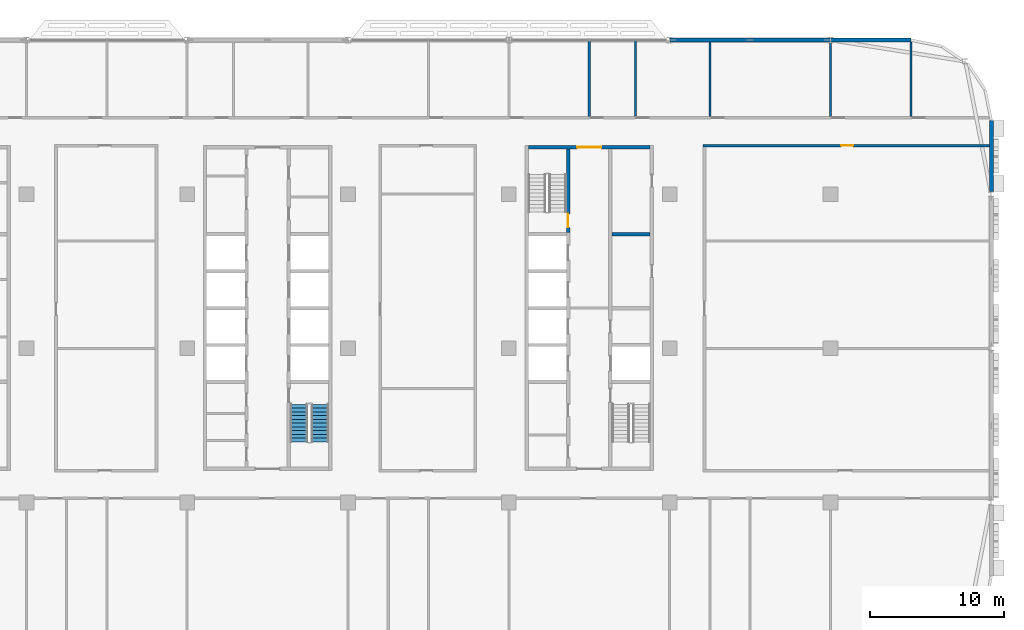
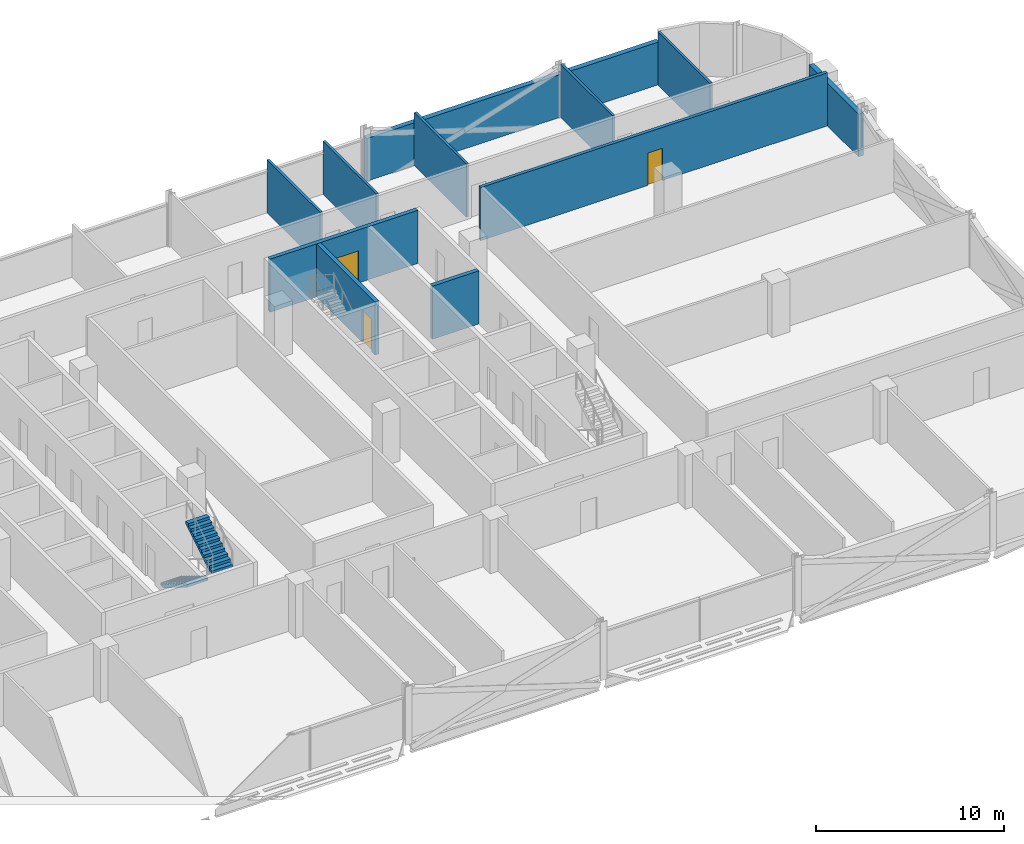
# One storey, part 18 of 30: 12 walls, 3 doors, 2 stair flights, 3 openings, 1 element without a shape of its own.
"""IFC4 building model written with IfcOpenShell, lengths in metres."""

from ifc_helpers import new_model, si_unit, direction, frame, frame_2d, origin, place, context, subcontext, project, spatial, polyline, rectangle, outline, extrude, material, layer, layer_set, type_object, element, fill, aggregate, save


model = new_model("IFC4")

# Units and contexts
model_context = context("Model", 3, precision=1e-05, world=origin(), true_north=direction((0.0, 1.0)))
body_context = subcontext(model_context, "Body", "Model", "MODEL_VIEW")
ifc_project = project(units=[si_unit("LENGTHUNIT", "METRE"), si_unit("AREAUNIT", "SQUARE_METRE"), si_unit("VOLUMEUNIT", "CUBIC_METRE"), si_unit("PLANEANGLEUNIT", "RADIAN"), si_unit("MASSUNIT", "GRAM", prefix="KILO")], contexts=[model_context])

# Site, building, storey
site_placement = place(None, origin())
site = spatial("IfcSite", under=ifc_project, at=site_placement, CompositionType="ELEMENT")
building_placement = place(site_placement, origin())
building = spatial("IfcBuilding", under=site, at=building_placement, Name="Mahtab Terrace Research Tower", CompositionType="ELEMENT")
storey_placement = place(building_placement, frame((0.0, 0.0, 212.89990234375)))
storey = spatial("IfcBuildingStorey", under=building, at=storey_placement, Name="L51", CompositionType="ELEMENT", Elevation=212.89990234375)

# Wall, opening, door
ifc_material_1 = material(Name="Concrete C70/85", Category="concrete")
ifc_layer_1 = layer(ifc_material_1, 0.25)
ifc_layer_set_1 = layer_set([ifc_layer_1], Name="Core wall 250")
wall_type_1 = type_object("IfcWallType", Name="Core wall 250", PredefinedType="SOLIDWALL", material=ifc_layer_set_1)
wall_1_placement = place(storey_placement, frame((19.449951171875, 15.0, 0.0), z_axis=(0.0, 0.0, 1.0), x_axis=(1.0, 0.0, 0.0)))
wall_1 = element("IfcWall", 1, at=wall_1_placement, inside=storey, type_object=wall_type_1, Name="Core wall C endN", PredefinedType="SOLIDWALL", context=body_context, shape_type="SweptSolid", body=[
    extrude(rectangle(XDim=9.10009765625, YDim=0.25, at=frame_2d((4.550048828125, 0.0))), origin(), (0.0, 0.0, 1.0), 3.460205078125),
])
opening_1_placement = place(wall_1_placement, frame((3.64990234375, 0.0, 0.0)))
opening_1 = element("IfcOpeningElement", 2, at=opening_1_placement, cuts=wall_1, Name="Opening C-N1", PredefinedType="OPENING", context=body_context, shape_type="SweptSolid", body=[
    extrude(rectangle(XDim=1.800048828125, YDim=2.10009765625, at=frame_2d((0.89990234375, 1.050048828125))), frame((0.0, 0.135009765625, 0.0), z_axis=(0.0, -1.0, 0.0), x_axis=(1.0, 0.0, 0.0)), (0.0, 0.0, 1.0), 0.27001953125),
])
ifc_material_2 = material(Name="Steel fire door", Category="steel")
door_type_1 = type_object("IfcDoorType", Name="Lobby double door 1800x2100 1 HR", OperationType="DOUBLE_DOOR_SINGLE_SWING", PredefinedType="DOOR", material=ifc_material_2)
door_1_placement = place(opening_1_placement, origin())
door_1 = element("IfcDoor", 3, at=door_1_placement, inside=storey, type_object=door_type_1, Name="Core entrance door C N", OperationType="DOUBLE_DOOR_SINGLE_SWING", OverallHeight=2.10009765625, OverallWidth=1.800048828125, PredefinedType="DOOR", context=body_context, shape_type="SweptSolid", body=[
    extrude(rectangle(XDim=1.800048828125, YDim=2.10009765625, at=frame_2d((0.89990234375, 1.050048828125))), frame((0.0, 0.02490234375, 0.0), z_axis=(0.0, -1.0, 0.0), x_axis=(1.0, 0.0, 0.0)), (0.0, 0.0, 1.0), 0.050048828125),
])
fill(opening_1, door_1)

wall_2_placement = place(storey_placement, frame((22.425048828125, 14.875, 0.0), z_axis=(0.0, 0.0, 1.0), x_axis=(0.0, -1.0, 0.0)))
wall_2 = element("IfcWall", 4, at=wall_2_placement, inside=storey, type_object=wall_type_1, Name="Core wall C innerWN", PredefinedType="SOLIDWALL", context=body_context, shape_type="SweptSolid", body=[
    extrude(rectangle(XDim=6.25, YDim=0.25, at=frame_2d((3.125, 0.0))), origin(), (0.0, 0.0, 1.0), 3.460205078125),
])
opening_2_placement = place(wall_2_placement, frame((4.85009765625, 0.0, 0.0)))
opening_2 = element("IfcOpeningElement", 5, at=opening_2_placement, cuts=wall_2, Name="Opening C-ST3", PredefinedType="OPENING", context=body_context, shape_type="SweptSolid", body=[
    extrude(rectangle(XDim=1.0, YDim=2.10009765625, at=frame_2d((0.5, 1.050048828125))), frame((0.0, 0.135009765625, 0.0), z_axis=(0.0, -1.0, 0.0), x_axis=(1.0, 0.0, 0.0)), (0.0, 0.0, 1.0), 0.27001953125),
])
door_type_2 = type_object("IfcDoorType", Name="Stair door 1000x2100 1.5 HR", OperationType="NOTDEFINED", PredefinedType="DOOR", material=ifc_material_2)
door_2_placement = place(opening_2_placement, origin())
door_2 = element("IfcDoor", 6, at=door_2_placement, inside=storey, type_object=door_type_2, Name="Stair door ST3 L51", OperationType="SINGLE_SWING_RIGHT", OverallHeight=2.10009765625, OverallWidth=1.0, PredefinedType="DOOR", context=body_context, shape_type="SweptSolid", body=[
    extrude(rectangle(XDim=1.0, YDim=2.10009765625, at=frame_2d((0.5, 1.050048828125))), frame((0.0, 0.02490234375, 0.0), z_axis=(0.0, -1.0, 0.0), x_axis=(1.0, 0.0, 0.0)), (0.0, 0.0, 1.0), 0.050048828125),
])
fill(opening_2, door_2)

# Walls
wall_3_placement = place(storey_placement, frame((25.699951171875, 8.5, 0.0), z_axis=(0.0, 0.0, 1.0), x_axis=(1.0, 0.0, 0.0)))
element("IfcWall", 7, at=wall_3_placement, inside=storey, type_object=wall_type_1, Name="Core wall C divE4", PredefinedType="SOLIDWALL", context=body_context, shape_type="SweptSolid", body=[
    extrude(rectangle(XDim=2.85009765625, YDim=0.25, at=frame_2d((1.425048828125, 0.0))), origin(), (0.0, 0.0, 1.0), 3.460205078125),
])
ifc_material_3 = material(Name="Black aluminium cladding panel", Category="aluminium")
ifc_layer_2 = layer(ifc_material_3, 0.300048828125)
ifc_layer_set_2 = layer_set([ifc_layer_2], Name="Opaque facade wall 300")
wall_type_2 = type_object("IfcWallType", Name="Opaque facade wall 300", PredefinedType="NOTDEFINED", material=ifc_layer_set_2)
wall_4_placement = place(storey_placement, frame((48.0, 23.0, 0.0), z_axis=(0.0, 0.0, 1.0), x_axis=(-1.0, 0.0, 0.0)))
element("IfcWall", 8, at=wall_4_placement, inside=storey, type_object=wall_type_2, Name="Opaque facade wall L51 N3", PredefinedType="NOTDEFINED", context=body_context, shape_type="SweptSolid", body=[
    extrude(rectangle(XDim=5.987548828125, YDim=0.300048828125, at=frame_2d((2.99365234375, 0.0))), origin(), (0.0, 0.0, 1.0), 2.781982421875),
])
wall_5_placement = place(storey_placement, frame((41.987548828125, 23.0, 0.0), z_axis=(0.0, 0.0, 1.0), x_axis=(-1.0, 0.0, 0.0)))
element("IfcWall", 9, at=wall_5_placement, inside=storey, type_object=wall_type_2, Name="Opaque facade wall L51 N4", PredefinedType="NOTDEFINED", context=body_context, shape_type="SweptSolid", body=[
    extrude(rectangle(XDim=11.97509765625, YDim=0.300048828125, at=frame_2d((5.987548828125, 0.0))), origin(), (0.0, 0.0, 1.0), 2.781982421875),
])
wall_6_placement = place(storey_placement, frame((54.0, 11.699951171875, 0.0), z_axis=(0.0, 0.0, 1.0), x_axis=(0.0, 1.0, 0.0)))
element("IfcWall", 10, at=wall_6_placement, inside=storey, type_object=wall_type_2, Name="Opaque facade wall L51 E38", PredefinedType="NOTDEFINED", context=body_context, shape_type="SweptSolid", body=[
    extrude(rectangle(XDim=5.300048828125, YDim=0.300048828125, at=frame_2d((2.64990234375, 0.0))), origin(), (0.0, 0.0, 1.0), 2.781982421875),
])

# Wall, opening, door
ifc_material_4 = material(Name="Gypsum board corridor wall on steel studs", Category="steel")
ifc_layer_3 = layer(ifc_material_4, 0.199951171875)
ifc_layer_set_3 = layer_set([ifc_layer_3], Name="WALL CORRIDOR 200")
wall_type_3 = type_object("IfcWallType", Name="WALL CORRIDOR 200", PredefinedType="PARTITIONING", material=ifc_layer_set_3)
wall_7_placement = place(storey_placement, frame((32.5, 15.125, 0.0), z_axis=(0.0, 0.0, 1.0), x_axis=(1.0, 0.0, 0.0)))
wall_7 = element("IfcWall", 11, at=wall_7_placement, inside=storey, type_object=wall_type_3, Name="L51-W025", PredefinedType="PARTITIONING", context=body_context, shape_type="SweptSolid", body=[
    extrude(rectangle(XDim=21.35009765625, YDim=0.199951171875, at=frame_2d((10.675048828125, 0.0))), origin(), (0.0, 0.0, 1.0), 3.460205078125),
])
opening_3_placement = place(wall_7_placement, frame((10.300048828125, 0.0, 0.0)))
opening_3 = element("IfcOpeningElement", 12, at=opening_3_placement, cuts=wall_7, Name="Opening L51-125", PredefinedType="OPENING", context=body_context, shape_type="SweptSolid", body=[
    extrude(rectangle(XDim=0.89990234375, YDim=2.10009765625, at=frame_2d((0.449951171875, 1.050048828125))), frame((0.0, 0.10986328125, 0.0), z_axis=(0.0, -1.0, 0.0), x_axis=(1.0, 0.0, 0.0)), (0.0, 0.0, 1.0), 0.219970703125),
])
ifc_material_5 = material(Name="Timber door leaf in steel frame", Category="steel")
door_type_3 = type_object("IfcDoorType", Name="DOOR 0900X2100 FD30S", OperationType="SINGLE_SWING_LEFT", PredefinedType="DOOR", material=ifc_material_5)
door_3_placement = place(opening_3_placement, origin())
door_3 = element("IfcDoor", 13, at=door_3_placement, inside=storey, type_object=door_type_3, Name="Door L51-125", OperationType="SINGLE_SWING_LEFT", OverallHeight=2.10009765625, OverallWidth=0.89990234375, PredefinedType="DOOR", context=body_context, shape_type="SweptSolid", body=[
    extrude(rectangle(XDim=0.89990234375, YDim=2.10009765625, at=frame_2d((0.449951171875, 1.050048828125))), frame((0.0, 0.02490234375, 0.0), z_axis=(0.0, -1.0, 0.0), x_axis=(1.0, 0.0, 0.0)), (0.0, 0.0, 1.0), 0.050048828125),
])
fill(opening_3, door_3)

# Walls
ifc_material_6 = material(Name="Gypsum board partition on steel studs", Category="steel")
ifc_layer_4 = layer(ifc_material_6, 0.14990234375)
ifc_layer_set_4 = layer_set([ifc_layer_4], Name="WALL PARTITION 150")
wall_type_4 = type_object("IfcWallType", Name="WALL PARTITION 150", PredefinedType="PARTITIONING", material=ifc_layer_set_4)
for number, where, z_axis, x_axis, name in (
    (14, (24.0, 17.300048828125, 0.0), (0.0, 0.0, 1.0), (0.0, 1.0, 0.0), "L51-W052"),
    (15, (27.449951171875, 17.300048828125, 0.0), (0.0, 0.0, 1.0), (0.0, 1.0, 0.0), "L51-W053"),
):
    element("IfcWall", number, at=place(storey_placement, frame(where, z_axis=z_axis, x_axis=x_axis)), inside=storey, type_object=wall_type_4, Name=name, PredefinedType="PARTITIONING", context=body_context, shape_type="SweptSolid", body=[
        extrude(rectangle(XDim=5.675048828125, YDim=0.14990234375, at=frame_2d((2.83740234375, 0.0))), origin(), (0.0, 0.0, 1.0), 3.460205078125),
    ])
for number, where, z_axis, x_axis, name in (
    (16, (33.0, 17.300048828125, 0.0), (0.0, 0.0, 1.0), (0.0, 1.0, 0.0), "L51-W057"),
    (17, (42.0, 17.300048828125, 0.0), (0.0, 0.0, 1.0), (0.0, 1.0, 0.0), "L51-W060"),
):
    element("IfcWall", number, at=place(storey_placement, frame(where, z_axis=z_axis, x_axis=x_axis)), inside=storey, type_object=wall_type_4, Name=name, PredefinedType="PARTITIONING", context=body_context, shape_type="SweptSolid", body=[
        extrude(rectangle(XDim=5.550048828125, YDim=0.14990234375, at=frame_2d((2.77490234375, 0.0))), origin(), (0.0, 0.0, 1.0), 3.460205078125),
    ])
wall_8_placement = place(storey_placement, frame((48.0, 17.300048828125, 0.0), z_axis=(0.0, 0.0, 1.0), x_axis=(0.0, 1.0, 0.0)))
element("IfcWall", 18, at=wall_8_placement, inside=storey, type_object=wall_type_4, Name="L51-W061", PredefinedType="PARTITIONING", context=body_context, shape_type="SweptSolid", body=[
    extrude(rectangle(XDim=5.547119140625, YDim=0.14990234375, at=frame_2d((2.7734375, 0.0))), origin(), (0.0, 0.0, 1.0), 3.460205078125),
])

# Stair, stair flights
ifc_material_7 = material(Name="Exit stair half-turn")
stair_type = type_object("IfcStairType", Name="Exit stair half-turn", PredefinedType="HALF_TURN_STAIR", material=ifc_material_7)
stair_placement = place(storey_placement, origin())
stair = element("IfcStair", 19, at=stair_placement, inside=storey, type_object=stair_type, Name="L51 Protected exit stair ST2", PredefinedType="HALF_TURN_STAIR")
ifc_material_8 = material(Name="Concrete C40/50", Category="concrete")
stair_flight_type = type_object("IfcStairFlightType", Name="Exit stair flight 1300", PredefinedType="STRAIGHT", material=ifc_material_8)
stair_flight_1_placement = place(storey_placement, frame((2.35009765625, -4.175048828125, 0.0), z_axis=(0.0, 0.0, 1.0), x_axis=(0.0, -1.0, 0.0)))
stair_flight_1 = element("IfcStairFlight", 20, at=stair_flight_1_placement, type_object=stair_flight_type, Name="ST2 flight 1", NumberOfRisers=11, NumberOfTreads=10, PredefinedType="STRAIGHT", RiserHeight=0.172727273, TreadLength=0.28, context=body_context, shape_type="SweptSolid", body=[
    extrude(outline(polyline([(0.0, 0.0), (0.0, 0.172607421875), (0.280029296875, 0.172607421875), (0.280029296875, 0.345458984375), (0.56005859375, 0.345458984375), (0.56005859375, 0.51806640625), (0.840087890625, 0.51806640625), (0.840087890625, 0.69091796875), (1.1201171875, 0.69091796875), (1.1201171875, 0.863525390625), (1.39990234375, 0.863525390625), (1.39990234375, 1.036376953125), (1.679931640625, 1.036376953125), (1.679931640625, 1.208984375), (1.9599609375, 1.208984375), (1.9599609375, 1.3818359375), (2.239990234375, 1.3818359375), (2.239990234375, 1.554443359375), (2.52001953125, 1.554443359375), (2.52001953125, 1.727294921875), (2.800048828125, 1.727294921875), (2.800048828125, 1.89990234375), (2.800048828125, 1.551025390625), (0.285400390625, 0.0), (0.0, 0.0)])), frame((0.0, 0.64990234375, 0.0), z_axis=(0.0, -1.0, 0.0), x_axis=(1.0, 0.0, 0.0)), (0.0, 0.0, 1.0), 1.300048828125),
])
stair_flight_2_placement = place(storey_placement, frame((3.89990234375, -6.97509765625, 1.900146484375), z_axis=(0.0, 0.0, 1.0), x_axis=(0.0, 1.0, 0.0)))
stair_flight_2 = element("IfcStairFlight", 21, at=stair_flight_2_placement, type_object=stair_flight_type, Name="ST2 flight 2", NumberOfRisers=11, NumberOfTreads=10, PredefinedType="STRAIGHT", RiserHeight=0.172727273, TreadLength=0.28, context=body_context, shape_type="SweptSolid", body=[
    extrude(outline(polyline([(0.0, 0.0), (0.0, 0.172607421875), (0.280029296875, 0.172607421875), (0.280029296875, 0.345458984375), (0.56005859375, 0.345458984375), (0.56005859375, 0.51806640625), (0.840087890625, 0.51806640625), (0.840087890625, 0.69091796875), (1.1201171875, 0.69091796875), (1.1201171875, 0.863525390625), (1.39990234375, 0.863525390625), (1.39990234375, 1.036376953125), (1.679931640625, 1.036376953125), (1.679931640625, 1.208984375), (1.9599609375, 1.208984375), (1.9599609375, 1.3818359375), (2.239990234375, 1.3818359375), (2.239990234375, 1.554443359375), (2.52001953125, 1.554443359375), (2.52001953125, 1.727294921875), (2.800048828125, 1.727294921875), (2.800048828125, 1.89990234375), (2.800048828125, 1.551025390625), (0.285400390625, 0.0), (0.0, 0.0)])), frame((0.0, 0.64990234375, 0.0), z_axis=(0.0, -1.0, 0.0), x_axis=(1.0, 0.0, 0.0)), (0.0, 0.0, 1.0), 1.300048828125),
])
aggregate(stair, [stair_flight_1, stair_flight_2])

save(model, "model.ifc")
